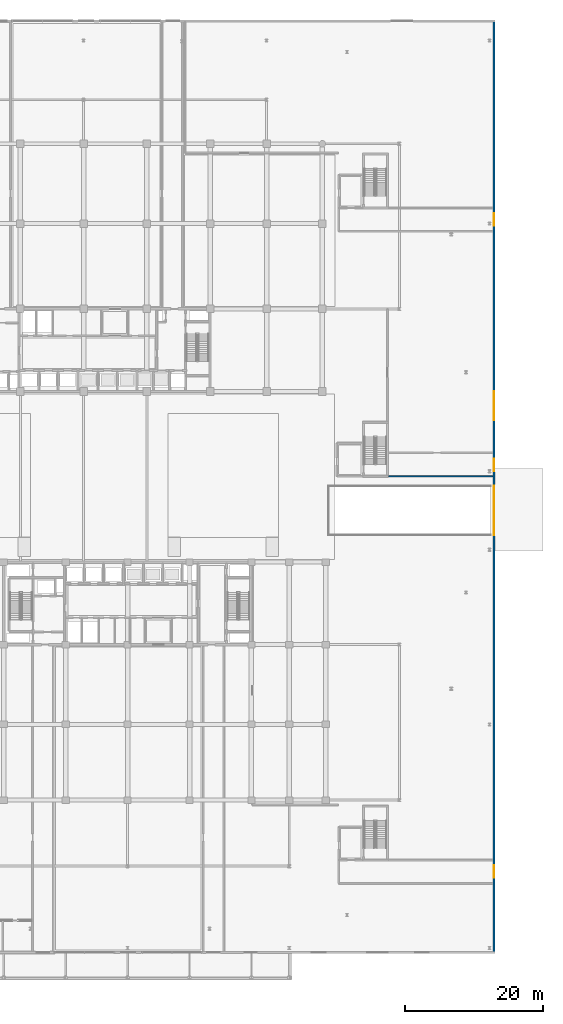
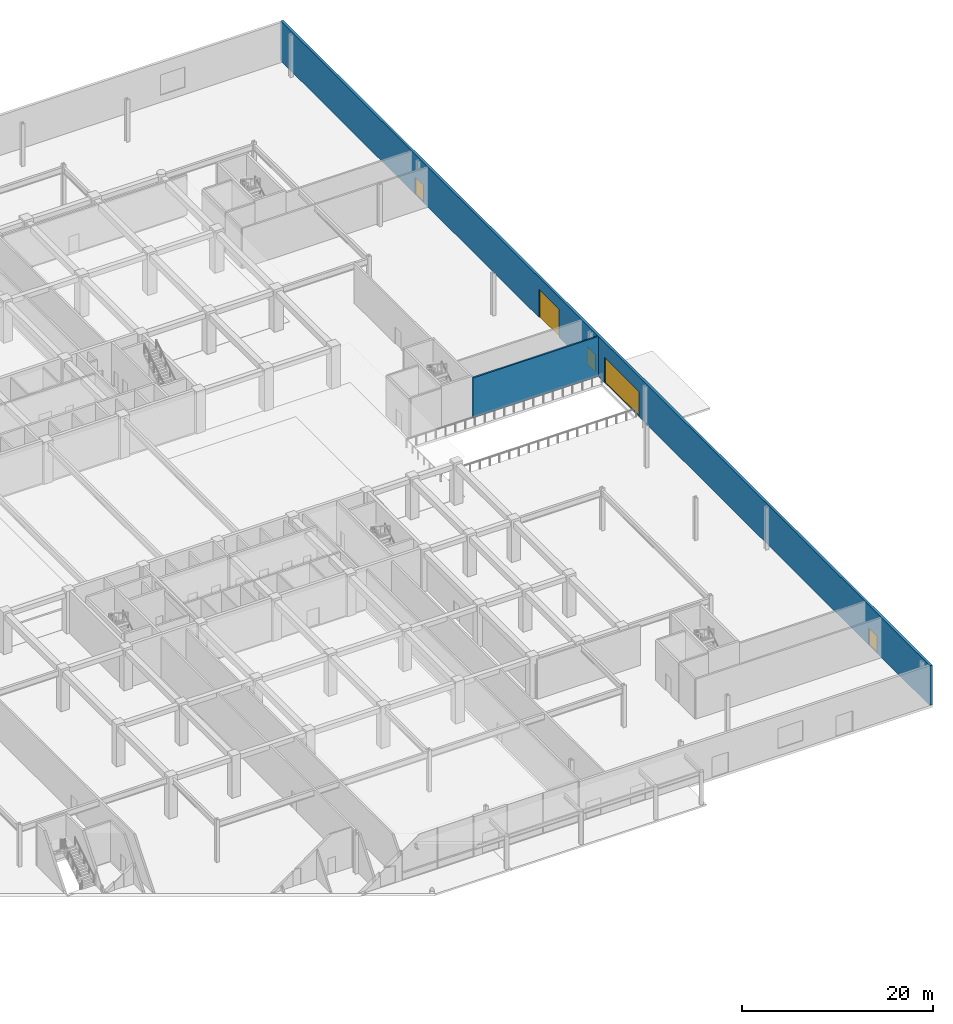
# One storey, part 29 of 46: 5 doors, 2 walls, 5 openings.
"""IFC4 building model written with IfcOpenShell, lengths in metres."""

from ifc_helpers import new_model, si_unit, direction, frame, frame_2d, origin, place, context, subcontext, project, spatial, rectangle, extrude, material, layer, layer_set, type_object, element, fill, save


model = new_model("IFC4")

# Units and contexts
model_context = context("Model", 3, precision=1e-05, world=origin(), true_north=direction((0.0, 1.0)))
body_context = subcontext(model_context, "Body", "Model", "MODEL_VIEW")
ifc_project = project(units=[si_unit("LENGTHUNIT", "METRE"), si_unit("AREAUNIT", "SQUARE_METRE"), si_unit("VOLUMEUNIT", "CUBIC_METRE"), si_unit("PLANEANGLEUNIT", "RADIAN"), si_unit("MASSUNIT", "GRAM", prefix="KILO")], contexts=[model_context])

# Site, building, storey
site_placement = place(None, origin())
site = spatial("IfcSite", under=ifc_project, at=site_placement, CompositionType="ELEMENT")
building_placement = place(site_placement, origin())
building = spatial("IfcBuilding", under=site, at=building_placement, Name="Korimba Cascade Residences", CompositionType="ELEMENT")
storey_placement = place(building_placement, origin())
storey = spatial("IfcBuildingStorey", under=building, at=storey_placement, Name="L00", CompositionType="ELEMENT", Elevation=0.0)

# Wall, openings, doors
ifc_material_1 = material(Name="Precast concrete C40/50", Category="concrete")
ifc_layer_1 = layer(ifc_material_1, 0.300048828125)
ifc_layer_set_1 = layer_set([ifc_layer_1], Name="Precast concrete C40/50")
wall_type_1 = type_object("IfcWallType", Name="EW-STONE-300", PredefinedType="STANDARD", material=ifc_layer_set_1)
wall_1_placement = place(storey_placement, frame((153.35009765625, -26.5, 0.0), z_axis=(0.0, 0.0, 1.0), x_axis=(0.0, 1.0, 0.0)))
wall_1 = element("IfcWall", 1, at=wall_1_placement, inside=storey, type_object=wall_type_1, Name="L00 East Stone Podium Wall", PredefinedType="STANDARD", context=body_context, shape_type="SweptSolid", body=[
    extrude(rectangle(XDim=135.699951171875, YDim=0.300048828125, at=frame_2d((67.85009765625, 0.0))), origin(), (0.0, 0.0, 1.0), 5.10009765625),
])
opening_1_placement = place(wall_1_placement, frame((60.800048828125, 0.0, 0.0)))
opening_1 = element("IfcOpeningElement", 2, at=opening_1_placement, cuts=wall_1, Name="Opening RS-01", PredefinedType="OPENING", context=body_context, shape_type="SweptSolid", body=[
    extrude(rectangle(XDim=7.199951171875, YDim=3.199951171875, at=frame_2d((3.60009765625, 1.60009765625))), frame((0.0, 0.16015625, 0.0), z_axis=(0.0, -1.0, 0.0), x_axis=(1.0, 0.0, 0.0)), (0.0, 0.0, 1.0), 0.320068359375),
])
opening_2_placement = place(wall_1_placement, frame((70.10009765625, 0.0, 0.0)))
opening_2 = element("IfcOpeningElement", 3, at=opening_2_placement, cuts=wall_1, Name="Opening D-EX2", PredefinedType="OPENING", context=body_context, shape_type="SweptSolid", body=[
    extrude(rectangle(XDim=1.800048828125, YDim=2.199951171875, at=frame_2d((0.89990234375, 1.10009765625))), frame((0.0, 0.16015625, 0.0), z_axis=(0.0, -1.0, 0.0), x_axis=(1.0, 0.0, 0.0)), (0.0, 0.0, 1.0), 0.320068359375),
])
opening_3_placement = place(wall_1_placement, frame((77.5, 0.0, 0.0)))
opening_3 = element("IfcOpeningElement", 4, at=opening_3_placement, cuts=wall_1, Name="Opening RS-02", PredefinedType="OPENING", context=body_context, shape_type="SweptSolid", body=[
    extrude(rectangle(XDim=4.199951171875, YDim=3.60009765625, at=frame_2d((2.10009765625, 1.800048828125))), frame((0.0, 0.16015625, 0.0), z_axis=(0.0, -1.0, 0.0), x_axis=(1.0, 0.0, 0.0)), (0.0, 0.0, 1.0), 0.320068359375),
])
opening_4_placement = place(wall_1_placement, frame((11.0, 0.0, 0.0)))
opening_4 = element("IfcOpeningElement", 5, at=opening_4_placement, cuts=wall_1, Name="Opening D-EX2", PredefinedType="OPENING", context=body_context, shape_type="SweptSolid", body=[
    extrude(rectangle(XDim=1.800048828125, YDim=2.199951171875, at=frame_2d((0.89990234375, 1.10009765625))), frame((0.0, 0.16015625, 0.0), z_axis=(0.0, -1.0, 0.0), x_axis=(1.0, 0.0, 0.0)), (0.0, 0.0, 1.0), 0.320068359375),
])
opening_5_placement = place(wall_1_placement, frame((105.800048828125, 0.0, 0.0)))
opening_5 = element("IfcOpeningElement", 6, at=opening_5_placement, cuts=wall_1, Name="Opening D-EX2", PredefinedType="OPENING", context=body_context, shape_type="SweptSolid", body=[
    extrude(rectangle(XDim=1.800048828125, YDim=2.199951171875, at=frame_2d((0.89990234375, 1.10009765625))), frame((0.0, 0.16015625, 0.0), z_axis=(0.0, -1.0, 0.0), x_axis=(1.0, 0.0, 0.0)), (0.0, 0.0, 1.0), 0.320068359375),
])
ifc_material_2 = material(Name="Galvanised Steel Fire Exit Door", Category="steel")
door_type_1 = type_object("IfcDoorType", Name="DR-EXT-EXIT", OperationType="NOTDEFINED", PredefinedType="DOOR", material=ifc_material_2)
door_1_placement = place(opening_2_placement, frame((1.800048828125, 0.0, 0.0), z_axis=(0.0, 0.0, 1.0), x_axis=(-1.0, 0.0, 0.0)))
door_1 = element("IfcDoor", 7, at=door_1_placement, inside=storey, type_object=door_type_1, Name="L00 East Street Fire Exit Door EX-06", OperationType="DOUBLE_DOOR_SINGLE_SWING", OverallHeight=2.199951171875, OverallWidth=1.800048828125, PredefinedType="DOOR", context=body_context, shape_type="SweptSolid", body=[
    extrude(rectangle(XDim=1.800048828125, YDim=2.199951171875, at=frame_2d((0.89990234375, 1.10009765625))), frame((0.0, 0.02490234375, 0.0), z_axis=(0.0, -1.0, 0.0), x_axis=(1.0, 0.0, 0.0)), (0.0, 0.0, 1.0), 0.050048828125),
])
fill(opening_2, door_1)
door_2_placement = place(opening_4_placement, frame((1.800048828125, 0.0, 0.0), z_axis=(0.0, 0.0, 1.0), x_axis=(-1.0, 0.0, 0.0)))
door_2 = element("IfcDoor", 8, at=door_2_placement, inside=storey, type_object=door_type_1, Name="L00 South-East Corner Stair Exit Door EX-12", OperationType="DOUBLE_DOOR_SINGLE_SWING", OverallHeight=2.199951171875, OverallWidth=1.800048828125, PredefinedType="DOOR", context=body_context, shape_type="SweptSolid", body=[
    extrude(rectangle(XDim=1.800048828125, YDim=2.199951171875, at=frame_2d((0.89990234375, 1.10009765625))), frame((0.0, 0.02490234375, 0.0), z_axis=(0.0, -1.0, 0.0), x_axis=(1.0, 0.0, 0.0)), (0.0, 0.0, 1.0), 0.050048828125),
])
fill(opening_4, door_2)
door_3_placement = place(opening_5_placement, frame((1.800048828125, 0.0, 0.0), z_axis=(0.0, 0.0, 1.0), x_axis=(-1.0, 0.0, 0.0)))
door_3 = element("IfcDoor", 9, at=door_3_placement, inside=storey, type_object=door_type_1, Name="L00 North-East Corner Stair Exit Door EX-13", OperationType="DOUBLE_DOOR_SINGLE_SWING", OverallHeight=2.199951171875, OverallWidth=1.800048828125, PredefinedType="DOOR", context=body_context, shape_type="SweptSolid", body=[
    extrude(rectangle(XDim=1.800048828125, YDim=2.199951171875, at=frame_2d((0.89990234375, 1.10009765625))), frame((0.0, 0.02490234375, 0.0), z_axis=(0.0, -1.0, 0.0), x_axis=(1.0, 0.0, 0.0)), (0.0, 0.0, 1.0), 0.050048828125),
])
fill(opening_5, door_3)
ifc_material_3 = material(Name="Insulated Steel Bi-Fold Loading Door", Category="steel")
door_type_2 = type_object("IfcDoorType", Name="DR-SRV-DOCK", OperationType="NOTDEFINED", PredefinedType="GATE", material=ifc_material_3)
door_4_placement = place(opening_3_placement, origin())
door_4 = element("IfcDoor", 10, at=door_4_placement, inside=storey, type_object=door_type_2, Name="L00 Service Loading Bi-Fold Door RS-02", OperationType="FOLDING_TO_LEFT", OverallHeight=3.60009765625, OverallWidth=4.199951171875, PredefinedType="GATE", context=body_context, shape_type="SweptSolid", body=[
    extrude(rectangle(XDim=4.199951171875, YDim=3.60009765625, at=frame_2d((2.10009765625, 1.800048828125))), frame((0.0, 0.02490234375, 0.0), z_axis=(0.0, -1.0, 0.0), x_axis=(1.0, 0.0, 0.0)), (0.0, 0.0, 1.0), 0.050048828125),
])
fill(opening_3, door_4)
ifc_material_4 = material(Name="Motorised Steel Roller Shutter", Category="steel")
door_type_3 = type_object("IfcDoorType", Name="DR-VEH-RS01", OperationType="NOTDEFINED", PredefinedType="GATE", material=ifc_material_4)
door_5_placement = place(opening_1_placement, origin())
door_5 = element("IfcDoor", 11, at=door_5_placement, inside=storey, type_object=door_type_3, Name="L00 Car Park Entry Roller Shutter RS-01", OperationType="ROLLINGUP", OverallHeight=3.199951171875, OverallWidth=7.199951171875, PredefinedType="GATE", context=body_context, shape_type="SweptSolid", body=[
    extrude(rectangle(XDim=7.199951171875, YDim=3.199951171875, at=frame_2d((3.60009765625, 1.60009765625))), frame((0.0, 0.02490234375, 0.0), z_axis=(0.0, -1.0, 0.0), x_axis=(1.0, 0.0, 0.0)), (0.0, 0.0, 1.0), 0.050048828125),
])
fill(opening_1, door_5)

# Wall
ifc_material_5 = material(Name="Concrete C40/50", Category="concrete")
ifc_layer_2 = layer(ifc_material_5, 0.199951171875)
ifc_layer_set_2 = layer_set([ifc_layer_2], Name="Concrete C40/50")
wall_type_2 = type_object("IfcWallType", Name="WAL-PART-200", PredefinedType="PARTITIONING", material=ifc_layer_set_2)
wall_2_placement = place(storey_placement, frame((138.050048828125, 42.875, 0.0), z_axis=(0.0, 0.0, 1.0), x_axis=(1.0, 0.0, 0.0)))
element("IfcWall", 12, at=wall_2_placement, inside=storey, type_object=wall_type_2, Name="L00 Partition Wall WAL-L00-XPES2", PredefinedType="PARTITIONING", context=body_context, shape_type="SweptSolid", body=[
    extrude(rectangle(XDim=15.14990234375, YDim=0.199951171875, at=frame_2d((7.574951171875, 0.0))), origin(), (0.0, 0.0, 1.0), 5.10009765625),
])

save(model, "model.ifc")
